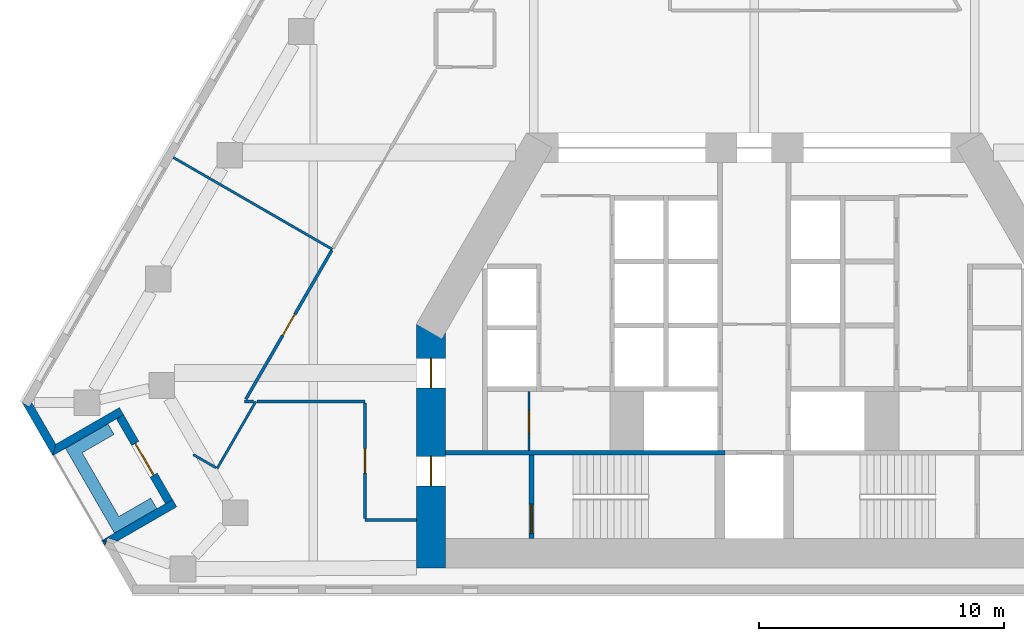
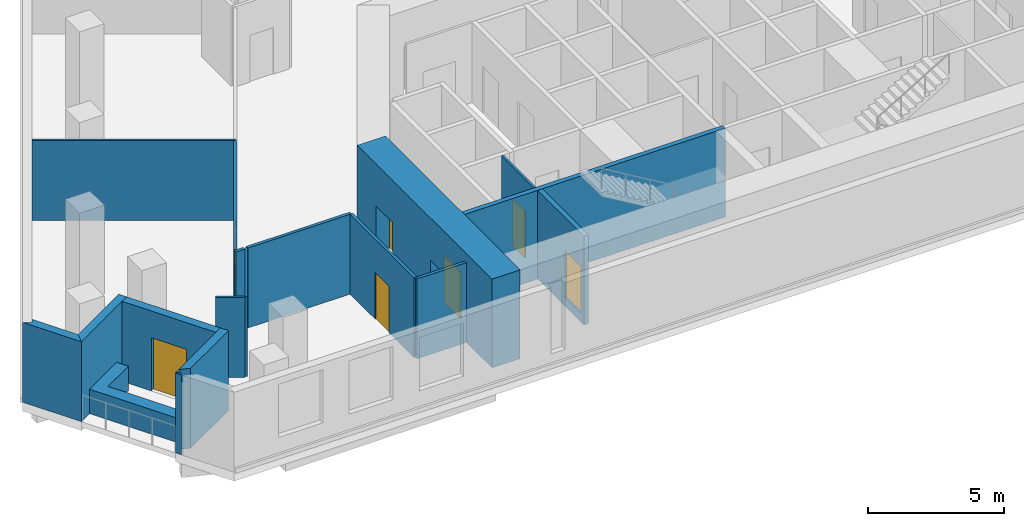
# One storey, part 3 of 10: 18 walls, 7 doors, 7 openings.
"""IFC4 building model written with IfcOpenShell, lengths in metres."""

import ifcopenshell
import ifcopenshell.guid

model = None  # the IFC model being written
_history = None  # IfcOwnerHistory: only IFC2X3 demands one
_inside = {}  # id of a spatial element -> (the spatial element, [elements in it])
_under = {}  # id of a project, library or spatial element -> (it, [spatial elements below it])
_declared = {}  # id of a project -> (the project, [libraries it declares])
_typed = {}  # id of a type object -> (the type object, [elements of that type])
_made_of = {}  # id of a material, layer set ... -> (it, [elements and type objects made of it])


def new_model(schema):
    """Start an empty IFC model of exactly this schema.

    Asked for "IFC4X3", IfcOpenShell would pick the latest addendum, in which some entities
    have other attributes; the version numbers below select the first issue.
    IFC2X3 requires an IfcOwnerHistory on every rooted entity: one is made here for all.
    """
    global model, _history
    if schema == "IFC4X3":
        model = ifcopenshell.file(schema_version=(4, 3, 0, 0))
    else:
        model = ifcopenshell.file(schema=schema)
    _inside.clear()
    _under.clear()
    _declared.clear()
    _typed.clear()
    _made_of.clear()
    _history = None
    if model.schema == "IFC2X3":
        org = make("IfcOrganization", Name="unknown")
        user = make(
            "IfcPersonAndOrganization",
            ThePerson=make("IfcPerson", FamilyName="unknown"),
            TheOrganization=org,
        )
        app = make(
            "IfcApplication",
            ApplicationDeveloper=org,
            Version="unknown",
            ApplicationFullName="unknown",
            ApplicationIdentifier="unknown",
        )
        _history = make(
            "IfcOwnerHistory",
            OwningUser=user,
            OwningApplication=app,
            ChangeAction="ADDED",
            CreationDate=0,
        )
    return model


def make(cls, **values):
    """One entity of the class cls with the attributes given. An attribute that is None is left unset."""
    return model.create_entity(
        cls, **{name: value for name, value in values.items() if value is not None}
    )


def rooted(cls, **values):
    """An entity with a GlobalId (a new one), such as an element, a storey or a relation."""
    return make(cls, GlobalId=ifcopenshell.guid.new(), OwnerHistory=_history, **values)


def si_unit(unit_type, name, prefix=None):
    """IfcSIUnit, for example si_unit("LENGTHUNIT", "METRE", prefix="MILLI")."""
    return make("IfcSIUnit", UnitType=unit_type, Prefix=prefix, Name=name)


def assignment(units):
    """IfcUnitAssignment: the units of a project."""
    return None if units is None else make("IfcUnitAssignment", Units=units)


def point(xyz):
    """IfcCartesianPoint."""
    return None if xyz is None else make("IfcCartesianPoint", Coordinates=xyz)


def direction(xyz):
    """IfcDirection."""
    return None if xyz is None else make("IfcDirection", DirectionRatios=xyz)


def frame(location, z_axis=None, x_axis=None):
    """IfcAxis2Placement3D, a coordinate frame: its origin and axes. An axis left out is left unset."""
    return make(
        "IfcAxis2Placement3D",
        Location=point(location),
        Axis=direction(z_axis),
        RefDirection=direction(x_axis),
    )


def frame_2d(location, x_axis=None):
    """IfcAxis2Placement2D, a coordinate frame in the plane: its origin and x axis."""
    return make(
        "IfcAxis2Placement2D", Location=point(location), RefDirection=direction(x_axis)
    )


def origin():
    """The frame at (0, 0, 0) with its axes left unset."""
    return frame((0.0, 0.0, 0.0))


def place(relative_to, where):
    """IfcLocalPlacement: puts the frame where relative to a parent placement (None: the world)."""
    return make(
        "IfcLocalPlacement", PlacementRelTo=relative_to, RelativePlacement=where
    )


def context(
    kind, dimensions, precision=None, world=None, true_north=None, identifier=None
):
    """IfcGeometricRepresentationContext, for example the 3D "Model" context."""
    return make(
        "IfcGeometricRepresentationContext",
        ContextIdentifier=identifier,
        ContextType=kind,
        CoordinateSpaceDimension=dimensions,
        Precision=precision,
        WorldCoordinateSystem=world,
        TrueNorth=true_north,
    )


def subcontext(parent, identifier, kind, view, scale=None):
    """IfcGeometricRepresentationSubContext, for example "Body" below "Model"."""
    return make(
        "IfcGeometricRepresentationSubContext",
        ContextIdentifier=identifier,
        ContextType=kind,
        ParentContext=parent,
        TargetScale=scale,
        TargetView=view,
    )


def project(units=None, contexts=None):
    """IfcProject with its units and contexts."""
    return rooted(
        "IfcProject",
        Name="project",
        RepresentationContexts=contexts,
        UnitsInContext=assignment(units),
    )


def spatial(cls, under=None, at=None, **own):
    """A site, building, storey or space (cls), placed at a placement, below another one or the project."""
    s = rooted(cls, ObjectPlacement=at, **own)
    if under is not None:
        _under.setdefault(under.id(), (under, []))[1].append(s)
    return s


def polyline(points):
    """IfcPolyline through the points."""
    return make("IfcPolyline", Points=[point(p) for p in points])


def profile(cls, at=None, kind="AREA", **sizes):
    """A parametric profile (cls). Its sizes go by their IFC names, for example OverallWidth=200.0."""
    return make(cls, ProfileType=kind, Position=at, **sizes)


def rectangle(**sizes):
    """IfcRectangleProfileDef."""
    return profile("IfcRectangleProfileDef", **sizes)


def outline(outer, holes=None, kind="AREA"):
    """IfcArbitraryClosedProfileDef: a profile drawn as a closed curve; with holes, ...WithVoids."""
    if holes is None:
        return make("IfcArbitraryClosedProfileDef", ProfileType=kind, OuterCurve=outer)
    return make(
        "IfcArbitraryProfileDefWithVoids",
        ProfileType=kind,
        OuterCurve=outer,
        InnerCurves=holes,
    )


def extrude(swept, where, along, depth):
    """IfcExtrudedAreaSolid: the profile swept, set in the frame where, extruded along a direction by depth."""
    return make(
        "IfcExtrudedAreaSolid",
        SweptArea=swept,
        Position=where,
        ExtrudedDirection=direction(along),
        Depth=depth,
    )


def shape(context_of_items, identifier, shape_type, items):
    """IfcShapeRepresentation: the items that make up one representation, for example the "Body"."""
    return make(
        "IfcShapeRepresentation",
        ContextOfItems=context_of_items,
        RepresentationIdentifier=identifier,
        RepresentationType=shape_type,
        Items=items,
    )


def material(Name=None, Category=None):
    """IfcMaterial."""
    return make("IfcMaterial", Name=Name, Category=Category)


def layer(
    of_material, thickness, ventilated=None, Name=None, Category=None, Priority=None
):
    """IfcMaterialLayer: one layer of a wall or slab, of a material (None: an air gap)."""
    return make(
        "IfcMaterialLayer",
        Material=of_material,
        LayerThickness=thickness,
        IsVentilated=ventilated,
        Name=Name,
        Category=Category,
        Priority=Priority,
    )


def layer_set(layers, Name=None):
    """IfcMaterialLayerSet."""
    return make("IfcMaterialLayerSet", MaterialLayers=layers, LayerSetName=Name)


def made_of(thing, what):
    """Note that an element or type object is made of a material, layer set ...; save() writes the relation."""
    if what is not None:
        _made_of.setdefault(what.id(), (what, []))[1].append(thing)
    return thing


def type_object(cls, material=None, **own):
    """A type object (cls), such as IfcWallType, which elements share."""
    return made_of(rooted(cls, **own), material)


def element(
    cls,
    number,
    at=None,
    inside=None,
    cuts=None,
    type_object=None,
    material=None,
    context=None,
    identifier="Body",
    shape_type=None,
    held_by="IfcProductDefinitionShape",
    body=None,
    shapes=None,
    **own,
):
    """One element of the class cls, such as IfcWall. Its Tag is "e" and its number.

    at: its placement. inside: the storey or other place that contains it. cuts: it is an
    opening in that element (IfcRelVoidsElement). A single representation is given by context,
    identifier, shape_type and body (its items); several are given by shapes. held_by: the class
    of the entity that holds the representations. save() writes the other relations.
    """
    e = rooted(cls, Tag="e%d" % number, ObjectPlacement=at, **own)
    if body is not None:
        shapes = [shape(context, identifier, shape_type, body)]
    if shapes is not None:
        e.Representation = make(held_by, Representations=shapes)
    if inside is not None:
        _inside.setdefault(inside.id(), (inside, []))[1].append(e)
    if cuts is not None:
        rooted(
            "IfcRelVoidsElement", RelatingBuildingElement=cuts, RelatedOpeningElement=e
        )
    if type_object is not None:
        _typed.setdefault(type_object.id(), (type_object, []))[1].append(e)
    return made_of(e, material)


def fill(opening, filler):
    """IfcRelFillsElement: the door or window that sits in an opening."""
    return rooted(
        "IfcRelFillsElement",
        RelatingOpeningElement=opening,
        RelatedBuildingElement=filler,
    )


def aggregate(whole, parts):
    """IfcRelAggregates: a whole, such as a stair, and the parts it consists of."""
    return rooted("IfcRelAggregates", RelatingObject=whole, RelatedObjects=parts)


def save(model, path):
    """Write the relations noted so far, then the file.

    IfcRelAggregates (storeys below a building ...), IfcRelContainedInSpatialStructure (elements
    in a storey), IfcRelDefinesByType, IfcRelAssociatesMaterial and IfcRelDeclares: one each for
    every whole, place, type object, material and project.
    """
    for whole, parts in _under.values():
        aggregate(whole, parts)
    for where, things in _inside.values():
        rooted(
            "IfcRelContainedInSpatialStructure",
            RelatedElements=things,
            RelatingStructure=where,
        )
    for kind, things in _typed.values():
        rooted("IfcRelDefinesByType", RelatedObjects=things, RelatingType=kind)
    for what, things in _made_of.values():
        rooted("IfcRelAssociatesMaterial", RelatedObjects=things, RelatingMaterial=what)
    for by, libraries in _declared.values():
        rooted("IfcRelDeclares", RelatingContext=by, RelatedDefinitions=libraries)
    model.write(path)


model = new_model("IFC4")

# Units and contexts
model_context = context("Model", 3, precision=1e-05, world=origin(), true_north=direction((0.0, 1.0)))
body_context = subcontext(model_context, "Body", "Model", "MODEL_VIEW")
ifc_project = project(units=[si_unit("LENGTHUNIT", "METRE"), si_unit("AREAUNIT", "SQUARE_METRE"), si_unit("VOLUMEUNIT", "CUBIC_METRE"), si_unit("PLANEANGLEUNIT", "RADIAN"), si_unit("MASSUNIT", "GRAM", prefix="KILO")], contexts=[model_context])

# Site, building, storey
site_placement = place(None, origin())
site = spatial("IfcSite", under=ifc_project, at=site_placement, CompositionType="ELEMENT")
building_placement = place(site_placement, origin())
building = spatial("IfcBuilding", under=site, at=building_placement, Name="Fogline Exchange Tower", CompositionType="ELEMENT")
storey_placement = place(building_placement, frame((0.0, 0.0, 120.10009765625)))
storey = spatial("IfcBuildingStorey", under=building, at=storey_placement, Name="L26", CompositionType="ELEMENT", Elevation=120.10009765625)

# Wall, opening, door
ifc_material_1 = material(Name="Blockwork partition", Category="masonry")
ifc_layer_1 = layer(ifc_material_1, 0.10009765625)
ifc_layer_set_1 = layer_set([ifc_layer_1], Name="CW10")
wall_type_1 = type_object("IfcWallType", Name="CW10", PredefinedType="PARTITIONING", material=ifc_layer_set_1)
wall_1_placement = place(storey_placement, frame((-9.199951171875, 5.85009765625, 0.0), z_axis=(0.0, 0.0, 1.0), x_axis=(0.0, 1.0, 0.0)))
wall_1 = element("IfcWall", 1, at=wall_1_placement, inside=storey, type_object=wall_type_1, Name="WC partition", PredefinedType="PARTITIONING", context=body_context, shape_type="SweptSolid", body=[
    extrude(rectangle(XDim=2.39990234375, YDim=0.10009765625, at=frame_2d((1.199951171875, 0.0))), origin(), (0.0, 0.0, 1.0), 3.599853515625),
])
opening_1_placement = place(wall_1_placement, frame((0.699951171875, 0.0, 0.0)))
opening_1 = element("IfcOpeningElement", 2, at=opening_1_placement, cuts=wall_1, Name="Opening T08-C009", PredefinedType="OPENING", context=body_context, shape_type="SweptSolid", body=[
    extrude(rectangle(XDim=0.89990234375, YDim=2.10009765625, at=frame_2d((0.449951171875, 1.050048828125))), frame((0.0, 0.06005859375, 0.0), z_axis=(0.0, -1.0, 0.0), x_axis=(1.0, 0.0, 0.0)), (0.0, 0.0, 1.0), 0.1201171875),
])
ifc_material_2 = material(Name="Steel and timber fire door", Category="steel")
door_type_1 = type_object("IfcDoorType", Name="D-CS1", OperationType="SINGLE_SWING_RIGHT", PredefinedType="DOOR", material=ifc_material_2)
door_1_placement = place(opening_1_placement, origin())
door_1 = element("IfcDoor", 3, at=door_1_placement, inside=storey, type_object=door_type_1, Name="Door to Cleaner's Store", OperationType="SINGLE_SWING_LEFT", OverallHeight=2.10009765625, OverallWidth=0.89990234375, PredefinedType="DOOR", context=body_context, shape_type="SweptSolid", body=[
    extrude(rectangle(XDim=0.89990234375, YDim=2.10009765625, at=frame_2d((0.449951171875, 1.050048828125))), frame((0.0, 0.02490234375, 0.0), z_axis=(0.0, -1.0, 0.0), x_axis=(1.0, 0.0, 0.0)), (0.0, 0.0, 1.0), 0.050048828125),
])
fill(opening_1, door_1)

# Wall
ifc_material_3 = material(Name="Concrete C40", Category="concrete")
ifc_layer_2 = layer(ifc_material_3, 0.199951171875)
ifc_layer_set_2 = layer_set([ifc_layer_2], Name="CW20R")
wall_type_2 = type_object("IfcWallType", Name="CW20R", PredefinedType="SOLIDWALL", material=ifc_layer_set_2)
wall_2_placement = place(storey_placement, frame((-12.60009765625, 5.75, -0.400146484375), z_axis=(0.0, 0.0, 1.0), x_axis=(1.0, 0.0, 0.0)))
element("IfcWall", 4, at=wall_2_placement, inside=storey, type_object=wall_type_2, Name="Stair enclosure wall", PredefinedType="SOLIDWALL", context=body_context, shape_type="SweptSolid", body=[
    extrude(rectangle(XDim=11.400146484375, YDim=0.199951171875, at=frame_2d((5.7001953125, 0.0))), origin(), (0.0, 0.0, 1.0), 4.0),
])

# Wall, opening, door
wall_3_placement = place(storey_placement, frame((-9.10009765625, 2.25, -0.400146484375), z_axis=(0.0, 0.0, 1.0), x_axis=(0.0, 1.0, 0.0)))
wall_3 = element("IfcWall", 5, at=wall_3_placement, inside=storey, type_object=wall_type_2, Name="Stair enclosure wall", PredefinedType="SOLIDWALL", context=body_context, shape_type="SweptSolid", body=[
    extrude(rectangle(XDim=3.39990234375, YDim=0.199951171875, at=frame_2d((1.699951171875, 0.0))), origin(), (0.0, 0.0, 1.0), 4.0),
])
opening_2_placement = place(wall_3_placement, frame((0.199951171875, 0.0, 0.39990234375)))
opening_2 = element("IfcOpeningElement", 6, at=opening_2_placement, cuts=wall_3, Name="Opening T08-C011", PredefinedType="OPENING", context=body_context, shape_type="SweptSolid", body=[
    extrude(rectangle(XDim=1.199951171875, YDim=2.10009765625, at=frame_2d((0.60009765625, 1.050048828125))), frame((0.0, 0.10986328125, 0.0), z_axis=(0.0, -1.0, 0.0), x_axis=(1.0, 0.0, 0.0)), (0.0, 0.0, 1.0), 0.219970703125),
])
door_type_2 = type_object("IfcDoorType", Name="D-ST1", OperationType="SINGLE_SWING_LEFT", PredefinedType="DOOR", material=ifc_material_2)
door_2_placement = place(opening_2_placement, frame((1.199951171875, 0.0, 0.0), z_axis=(0.0, 0.0, 1.0), x_axis=(-1.0, 0.0, 0.0)))
door_2 = element("IfcDoor", 7, at=door_2_placement, inside=storey, type_object=door_type_2, Name="Stair door ST1", OperationType="SINGLE_SWING_RIGHT", OverallHeight=2.10009765625, OverallWidth=1.199951171875, PredefinedType="DOOR", context=body_context, shape_type="SweptSolid", body=[
    extrude(rectangle(XDim=1.199951171875, YDim=2.10009765625, at=frame_2d((0.60009765625, 1.050048828125))), frame((0.0, 0.02490234375, 0.0), z_axis=(0.0, -1.0, 0.0), x_axis=(1.0, 0.0, 0.0)), (0.0, 0.0, 1.0), 0.050048828125),
])
fill(opening_2, door_2)

# Walls
ifc_material_4 = material(Name="Brick masonry", Category="masonry")
ifc_layer_3 = layer(ifc_material_4, 0.340087890625)
ifc_layer_set_3 = layer_set([ifc_layer_3], Name="FW1")
wall_type_3 = type_object("IfcWallType", Name="FW1", PredefinedType="SOLIDWALL", material=ifc_layer_set_3)
wall_4_placement = place(storey_placement, origin())
element("IfcWall", 8, at=wall_4_placement, inside=storey, type_object=wall_type_3, Name="Brick wall L26 SW-c1", PredefinedType="SOLIDWALL", context=body_context, shape_type="SweptSolid", body=[
    extrude(outline(polyline([(-28.643310546875, 5.6279296875), (-29.894287109375, 7.794921875), (-29.893798828125, 7.79541015625), (-29.59912109375, 7.625), (-29.500732421875, 7.79541015625), (-28.51806640625, 6.09375), (-28.64306640625, 5.6279296875), (-28.643310546875, 5.6279296875)])), origin(), (0.0, 0.0, 1.0), 3.599853515625),
])
wall_5_placement = place(storey_placement, origin())
element("IfcWall", 9, at=wall_5_placement, inside=storey, type_object=wall_type_3, Name="Brick wall L26 SW-s1", PredefinedType="SOLIDWALL", context=body_context, shape_type="SweptSolid", body=[
    extrude(outline(polyline([(-25.92041015625, 7.594482421875), (-25.75, 7.298828125), (-26.044921875, 7.128662109375), (-28.643798828125, 5.628173828125), (-28.64404296875, 5.62841796875), (-28.519287109375, 6.093994140625), (-25.92041015625, 7.594482421875)])), origin(), (0.0, 0.0, 1.0), 3.599853515625),
])

# Wall, opening, door
wall_6_placement = place(storey_placement, frame((-25.89794921875, 7.214111328125, 0.0), z_axis=(0.0, 0.0, 1.0), x_axis=(0.49999894854, -0.866026010844, 0.0)))
wall_6 = element("IfcWall", 10, at=wall_6_placement, inside=storey, type_object=wall_type_3, Name="Brick wall L26 SW-bk", PredefinedType="SOLIDWALL", context=body_context, shape_type="SweptSolid", body=[
    extrude(rectangle(XDim=4.0, YDim=0.340087890625, at=frame_2d((2.0, 0.0))), origin(), (0.0, 0.0, 1.0), 3.599853515625),
])
opening_3_placement = place(wall_6_placement, frame((1.25, 0.0, 0.0)))
opening_3 = element("IfcOpeningElement", 11, at=opening_3_placement, cuts=wall_6, Name="Opening T08-E021", PredefinedType="OPENING", context=body_context, shape_type="SweptSolid", body=[
    extrude(rectangle(XDim=1.5, YDim=2.39990234375, at=frame_2d((0.75, 1.199951171875))), frame((0.0, 0.18017578125, 0.0), z_axis=(0.0, -1.0, 0.0), x_axis=(1.0, 0.0, 0.0)), (0.0, 0.0, 1.0), 0.360107421875),
])
ifc_material_5 = material(Name="Aluminium and glass", Category="aluminium")
door_type_3 = type_object("IfcDoorType", Name="ED4", OperationType="SINGLE_SWING_LEFT", PredefinedType="DOOR", material=ifc_material_5)
door_3_placement = place(opening_3_placement, frame((1.5, 0.0, 0.0), z_axis=(0.0, 0.0, 1.0), x_axis=(-1.0, 0.0, 0.0)))
door_3 = element("IfcDoor", 12, at=door_3_placement, inside=storey, type_object=door_type_3, Name="Balcony door L26 SW", OperationType="DOUBLE_DOOR_SINGLE_SWING", OverallHeight=2.39990234375, OverallWidth=1.5, PredefinedType="DOOR", context=body_context, shape_type="SweptSolid", body=[
    extrude(rectangle(XDim=1.5, YDim=2.39990234375, at=frame_2d((0.75, 1.199951171875))), frame((0.0, 0.02490234375, 0.0), z_axis=(0.0, -1.0, 0.0), x_axis=(1.0, 0.0, 0.0)), (0.0, 0.0, 1.0), 0.050048828125),
])
fill(opening_3, door_3)

# Walls
wall_7_placement = place(storey_placement, origin())
element("IfcWall", 13, at=wall_7_placement, inside=storey, type_object=wall_type_3, Name="Brick wall L26 SW-s2", PredefinedType="SOLIDWALL", context=body_context, shape_type="SweptSolid", body=[
    extrude(outline(polyline([(-24.04541015625, 3.66552734375), (-23.75048828125, 3.8359375), (-23.579833984375, 3.540283203125), (-26.005615234375, 2.139892578125), (-26.402587890625, 2.277587890625), (-26.458984375, 2.114990234375), (-26.64453125, 2.164794921875), (-26.64453125, 2.1650390625), (-24.04541015625, 3.66552734375)])), origin(), (0.0, 0.0, 1.0), 3.599853515625),
])
wall_8_placement = place(storey_placement, origin())
element("IfcWall", 14, at=wall_8_placement, inside=storey, type_object=wall_type_3, Name="Brick wall L26 SW-c2", PredefinedType="SOLIDWALL", context=body_context, shape_type="SweptSolid", body=[
    extrude(outline(polyline([(-26.644287109375, 2.165771484375), (-26.64404296875, 2.166015625), (-26.45849609375, 2.1162109375), (-26.517578125, 1.946044921875), (-26.644287109375, 2.165771484375)])), origin(), (0.0, 0.0, 1.0), 3.599853515625),
])
ifc_material_6 = material(Name="Concrete C30", Category="concrete")
ifc_layer_4 = layer(ifc_material_6, 0.199951171875)
ifc_layer_set_4 = layer_set([ifc_layer_4], Name="PL1")
wall_type_4 = type_object("IfcWallType", Name="PL1", PredefinedType="USERDEFINED", material=ifc_layer_set_4)
wall_9_placement = place(storey_placement, origin())
element("IfcWall", 15, at=wall_9_placement, inside=storey, type_object=wall_type_4, Name="PLANTER balcony L26 SW", ObjectType="PLANTER", PredefinedType="USERDEFINED", context=body_context, shape_type="SweptSolid", body=[
    extrude(outline(polyline([(-24.6416015625, 3.898193359375), (-25.940673828125, 3.148193359375), (-27.440673828125, 5.74609375), (-26.1416015625, 6.49609375), (-26.3916015625, 6.92919921875), (-28.12353515625, 5.92919921875), (-27.87353515625, 5.49609375), (-26.12353515625, 2.465087890625), (-25.690673828125, 2.715087890625), (-25.690673828125, 2.715087890625), (-24.3916015625, 3.465087890625), (-24.6416015625, 3.898193359375)])), origin(), (0.0, 0.0, 1.0), 1.099853515625),
])
ifc_material_7 = material(Name="Plasterboard partition, 2 layers each side on steel studs", Category="steel")
ifc_layer_5 = layer(ifc_material_7, 0.10009765625)
ifc_layer_set_5 = layer_set([ifc_layer_5], Name="PW1")
wall_type_5 = type_object("IfcWallType", Name="PW1", PredefinedType="PARTITIONING", material=ifc_layer_set_5)
wall_10_placement = place(storey_placement, frame((-17.2265625, 14.0537109375, 0.0), z_axis=(0.0, 0.0, 1.0), x_axis=(-0.866022959057, 0.500004234368, 0.0)))
element("IfcWall", 16, at=wall_10_placement, inside=storey, type_object=wall_type_5, Name="wall-L26-W044", PredefinedType="PARTITIONING", context=body_context, shape_type="SweptSolid", body=[
    extrude(rectangle(XDim=7.5, YDim=0.10009765625, at=frame_2d((3.75, 0.0))), origin(), (0.0, 0.0, 1.0), 3.599853515625),
])
wall_11_placement = place(storey_placement, frame((-20.35205078125, 7.840087890625, 0.0), z_axis=(0.0, 0.0, 1.0), x_axis=(-0.499968102766, -0.866043818878, 0.0)))
element("IfcWall", 17, at=wall_11_placement, inside=storey, type_object=wall_type_5, Name="wall-L26-W045", PredefinedType="PARTITIONING", context=body_context, shape_type="SweptSolid", body=[
    extrude(rectangle(XDim=3.154541015625, YDim=0.10009765625, at=frame_2d((1.5771484375, 0.0))), origin(), (0.0, 0.0, 1.0), 3.599853515625),
])
wall_12_placement = place(storey_placement, frame((-21.97265625, 5.13330078125, 0.0), z_axis=(0.0, 0.0, 1.0), x_axis=(-0.866046010305, 0.49996430676, 0.0)))
element("IfcWall", 18, at=wall_12_placement, inside=storey, type_object=wall_type_5, Name="wall-L26-W046", PredefinedType="PARTITIONING", context=body_context, shape_type="SweptSolid", body=[
    extrude(rectangle(XDim=1.07763671875, YDim=0.10009765625, at=frame_2d((0.538818359375, 0.0))), origin(), (0.0, 0.0, 1.0), 3.599853515625),
])
ifc_material_8 = material(Name="Plasterboard corridor partition with mineral wool, 2 layers each side")
ifc_layer_6 = layer(ifc_material_8, 0.125)
ifc_layer_set_6 = layer_set([ifc_layer_6], Name="PW2")
wall_type_6 = type_object("IfcWallType", Name="PW2", PredefinedType="PARTITIONING", material=ifc_layer_set_6)
wall_13_placement = place(storey_placement, frame((-13.800048828125, 3.0, 0.0), z_axis=(0.0, 0.0, 1.0), x_axis=(-1.0, 0.0, 0.0)))
element("IfcWall", 19, at=wall_13_placement, inside=storey, type_object=wall_type_6, Name="wall-L26-W009", PredefinedType="PARTITIONING", context=body_context, shape_type="SweptSolid", body=[
    extrude(rectangle(XDim=2.099853515625, YDim=0.125, at=frame_2d((1.0498046875, 0.0))), origin(), (0.0, 0.0, 1.0), 3.599853515625),
])

# Wall, opening, door
wall_14_placement = place(storey_placement, frame((-15.89990234375, 3.0625, 0.0), z_axis=(0.0, 0.0, 1.0), x_axis=(0.0, 1.0, 0.0)))
wall_14 = element("IfcWall", 20, at=wall_14_placement, inside=storey, type_object=wall_type_6, Name="wall-L26-W010", PredefinedType="PARTITIONING", context=body_context, shape_type="SweptSolid", body=[
    extrude(rectangle(XDim=4.715087890625, YDim=0.125, at=frame_2d((2.357421875, 0.0))), origin(), (0.0, 0.0, 1.0), 3.599853515625),
])
opening_4_placement = place(wall_14_placement, frame((1.857421875, 0.0, 0.0)))
opening_4 = element("IfcOpeningElement", 21, at=opening_4_placement, cuts=wall_14, Name="Opening T08-D004", PredefinedType="OPENING", context=body_context, shape_type="SweptSolid", body=[
    extrude(rectangle(XDim=1.0, YDim=2.10009765625, at=frame_2d((0.5, 1.050048828125))), frame((0.0, 0.072509765625, 0.0), z_axis=(0.0, -1.0, 0.0), x_axis=(1.0, 0.0, 0.0)), (0.0, 0.0, 1.0), 0.14501953125),
])
ifc_material_9 = material(Name="Fire-rated timber door leaf with steel frame", Category="steel")
door_type_4 = type_object("IfcDoorType", Name="D3", OperationType="SINGLE_SWING_LEFT", PredefinedType="DOOR", material=ifc_material_9)
door_4_placement = place(opening_4_placement, origin())
door_4 = element("IfcDoor", 22, at=door_4_placement, inside=storey, type_object=door_type_4, Name="door-L26-D004", OperationType="SINGLE_SWING_LEFT", OverallHeight=2.10009765625, OverallWidth=1.0, PredefinedType="DOOR", context=body_context, shape_type="SweptSolid", body=[
    extrude(rectangle(XDim=1.0, YDim=2.10009765625, at=frame_2d((0.5, 1.050048828125))), frame((0.0, 0.02490234375, 0.0), z_axis=(0.0, -1.0, 0.0), x_axis=(1.0, 0.0, 0.0)), (0.0, 0.0, 1.0), 0.050048828125),
])
fill(opening_4, door_4)

# Wall
wall_15_placement = place(storey_placement, frame((-20.4462890625, 7.840087890625, 0.0), z_axis=(0.0, 0.0, 1.0), x_axis=(-1.0, 0.0, 0.0)))
element("IfcWall", 23, at=wall_15_placement, inside=storey, type_object=wall_type_6, Name="wall-L26-W026", PredefinedType="PARTITIONING", context=body_context, shape_type="SweptSolid", body=[
    extrude(rectangle(XDim=0.36767578125, YDim=0.125, at=frame_2d((0.183837890625, 0.0))), origin(), (0.0, 0.0, 1.0), 3.599853515625),
])

# Wall, opening, door
wall_16_placement = place(storey_placement, frame((-20.759521484375, 7.93408203125, 0.0), z_axis=(0.0, 0.0, 1.0), x_axis=(0.499986528978, 0.866033181143, 0.0)))
wall_16 = element("IfcWall", 24, at=wall_16_placement, inside=storey, type_object=wall_type_6, Name="wall-L26-W027", PredefinedType="PARTITIONING", context=body_context, shape_type="SweptSolid", body=[
    extrude(rectangle(XDim=7.015869140625, YDim=0.125, at=frame_2d((3.5078125, 0.0))), origin(), (0.0, 0.0, 1.0), 3.599853515625),
])
opening_5_placement = place(wall_16_placement, frame((3.0078125, 0.0, 0.0)))
opening_5 = element("IfcOpeningElement", 25, at=opening_5_placement, cuts=wall_16, Name="Opening T08-D012", PredefinedType="OPENING", context=body_context, shape_type="SweptSolid", body=[
    extrude(rectangle(XDim=1.0, YDim=2.10009765625, at=frame_2d((0.5, 1.050048828125))), frame((0.0, 0.072509765625, 0.0), z_axis=(0.0, -1.0, 0.0), x_axis=(1.0, 0.0, 0.0)), (0.0, 0.0, 1.0), 0.14501953125),
])
door_5_placement = place(opening_5_placement, origin())
door_5 = element("IfcDoor", 26, at=door_5_placement, inside=storey, type_object=door_type_4, Name="door-L26-D012", OperationType="SINGLE_SWING_LEFT", OverallHeight=2.10009765625, OverallWidth=1.0, PredefinedType="DOOR", context=body_context, shape_type="SweptSolid", body=[
    extrude(rectangle(XDim=1.0, YDim=2.10009765625, at=frame_2d((0.5, 1.050048828125))), frame((0.0, 0.02490234375, 0.0), z_axis=(0.0, -1.0, 0.0), x_axis=(1.0, 0.0, 0.0)), (0.0, 0.0, 1.0), 0.050048828125),
])
fill(opening_5, door_5)

# Wall
wall_17_placement = place(storey_placement, frame((-15.89990234375, 7.840087890625, 0.0), z_axis=(0.0, 0.0, 1.0), x_axis=(-1.0, 0.0, 0.0)))
element("IfcWall", 27, at=wall_17_placement, inside=storey, type_object=wall_type_6, Name="wall-L26-W028", PredefinedType="PARTITIONING", context=body_context, shape_type="SweptSolid", body=[
    extrude(rectangle(XDim=4.408447265625, YDim=0.125, at=frame_2d((2.2041015625, 0.0))), origin(), (0.0, 0.0, 1.0), 3.599853515625),
])

# Wall, openings, doors
ifc_material_10 = material(Name="Concrete C60", Category="concrete")
ifc_layer_7 = layer(ifc_material_10, 1.199951171875)
ifc_layer_set_7 = layer_set([ifc_layer_7], Name="SW02")
wall_type_7 = type_object("IfcWallType", Name="SW02", PredefinedType="SHEAR", material=ifc_layer_set_7)
wall_18_placement = place(storey_placement, frame((-13.199951171875, 10.9990234375, 0.0), z_axis=(0.0, 0.0, 1.0), x_axis=(0.0, -1.0, 0.0)))
wall_18 = element("IfcWall", 28, at=wall_18_placement, inside=storey, type_object=wall_type_7, Name="L26-W906", PredefinedType="SHEAR", context=body_context, shape_type="SweptSolid", body=[
    extrude(rectangle(XDim=9.948974609375, YDim=1.199951171875, at=frame_2d((4.974609375, 0.0))), origin(), (0.0, 0.0, 1.0), 4.0),
])
opening_6_placement = place(wall_18_placement, frame((5.39892578125, 0.0, 0.0)))
opening_6 = element("IfcOpeningElement", 29, at=opening_6_placement, cuts=wall_18, Name="Opening T08-C010", PredefinedType="OPENING", context=body_context, shape_type="SweptSolid", body=[
    extrude(rectangle(XDim=1.199951171875, YDim=2.10009765625, at=frame_2d((0.60009765625, 1.050048828125))), frame((0.0, 0.60986328125, 0.0), z_axis=(0.0, -1.0, 0.0), x_axis=(1.0, 0.0, 0.0)), (0.0, 0.0, 1.0), 1.219970703125),
])
opening_7_placement = place(wall_18_placement, frame((1.39892578125, 0.0, 0.0)))
opening_7 = element("IfcOpeningElement", 30, at=opening_7_placement, cuts=wall_18, Name="Opening T08-C012", PredefinedType="OPENING", context=body_context, shape_type="SweptSolid", body=[
    extrude(rectangle(XDim=1.199951171875, YDim=2.10009765625, at=frame_2d((0.60009765625, 1.050048828125))), frame((0.0, 0.60986328125, 0.0), z_axis=(0.0, -1.0, 0.0), x_axis=(1.0, 0.0, 0.0)), (0.0, 0.0, 1.0), 1.219970703125),
])
door_type_5 = type_object("IfcDoorType", Name="D-FR1", OperationType="SINGLE_SWING_RIGHT", PredefinedType="DOOR", material=ifc_material_2)
door_6_placement = place(opening_6_placement, origin())
door_6 = element("IfcDoor", 31, at=door_6_placement, inside=storey, type_object=door_type_5, Name="Front room door ST1", OperationType="SINGLE_SWING_LEFT", OverallHeight=2.10009765625, OverallWidth=1.199951171875, PredefinedType="DOOR", context=body_context, shape_type="SweptSolid", body=[
    extrude(rectangle(XDim=1.199951171875, YDim=2.10009765625, at=frame_2d((0.60009765625, 1.050048828125))), frame((0.0, 0.02490234375, 0.0), z_axis=(0.0, -1.0, 0.0), x_axis=(1.0, 0.0, 0.0)), (0.0, 0.0, 1.0), 0.050048828125),
])
fill(opening_6, door_6)
door_type_6 = type_object("IfcDoorType", Name="D-SV1", OperationType="SINGLE_SWING_LEFT", PredefinedType="DOOR", material=ifc_material_2)
door_7_placement = place(opening_7_placement, origin())
door_7 = element("IfcDoor", 32, at=door_7_placement, inside=storey, type_object=door_type_6, Name="Service door W", OperationType="SINGLE_SWING_LEFT", OverallHeight=2.10009765625, OverallWidth=1.199951171875, PredefinedType="DOOR", context=body_context, shape_type="SweptSolid", body=[
    extrude(rectangle(XDim=1.199951171875, YDim=2.10009765625, at=frame_2d((0.60009765625, 1.050048828125))), frame((0.0, 0.02490234375, 0.0), z_axis=(0.0, -1.0, 0.0), x_axis=(1.0, 0.0, 0.0)), (0.0, 0.0, 1.0), 0.050048828125),
])
fill(opening_7, door_7)

save(model, "model.ifc")
